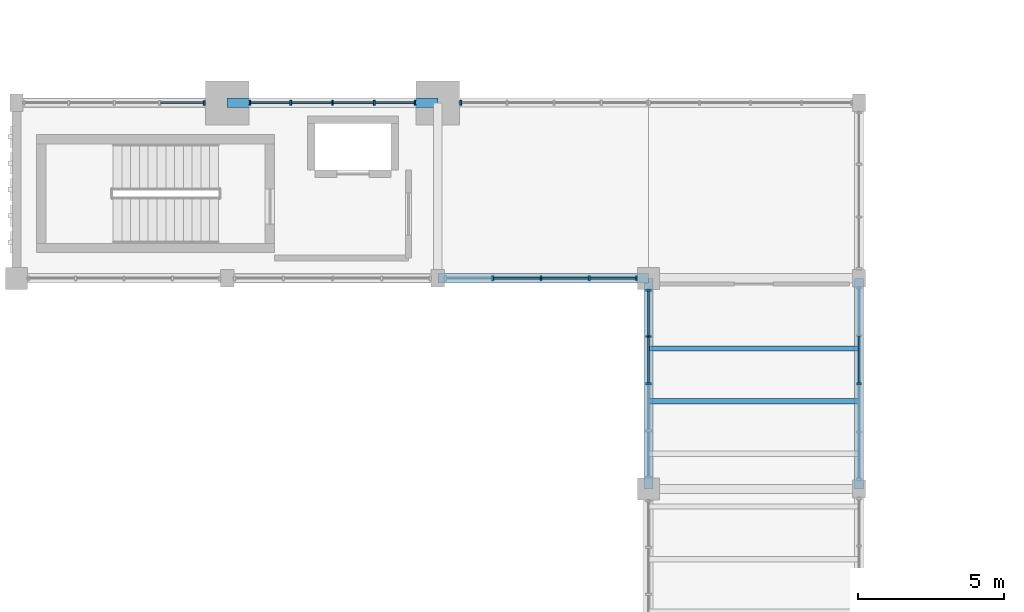
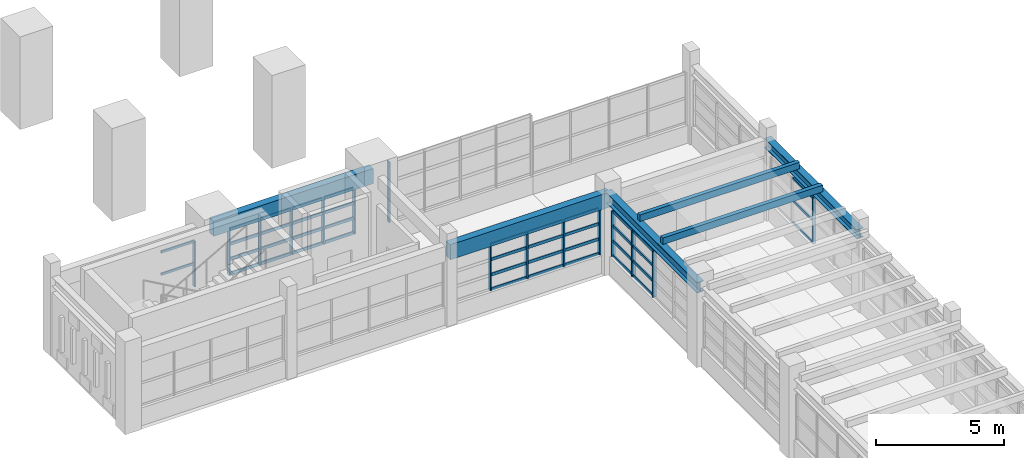
# One storey, part 7 of 69: 58 members, 4 beams, 6 elements without a shape of their own.
"""IFC4 building model written with IfcOpenShell, lengths in metres."""

from ifc_helpers import new_model, si_unit, direction, frame, origin, origin_2d, place, context, subcontext, project, spatial, rectangle, i_section, extrude, material, material_profile, profile_set, type_object, element, aggregate, save


model = new_model("IFC4")

# Units and contexts
model_context = context("Model", 3, precision=1e-05, world=origin(), true_north=direction((0.0, 1.0)))
body_context = subcontext(model_context, "Body", "Model", "MODEL_VIEW")
ifc_project = project(units=[si_unit("LENGTHUNIT", "METRE"), si_unit("AREAUNIT", "SQUARE_METRE"), si_unit("VOLUMEUNIT", "CUBIC_METRE"), si_unit("PLANEANGLEUNIT", "RADIAN"), si_unit("MASSUNIT", "GRAM", prefix="KILO")], contexts=[model_context])

# Site, building, storey
site_placement = place(None, origin())
site = spatial("IfcSite", under=ifc_project, at=site_placement, CompositionType="ELEMENT")
building_placement = place(site_placement, origin())
building = spatial("IfcBuilding", under=site, at=building_placement, Name="Nzembalo Square Collegiate School", CompositionType="ELEMENT")
storey_placement = place(building_placement, frame((0.0, 0.0, 5.10009765625)))
storey = spatial("IfcBuildingStorey", under=building, at=storey_placement, Name="L01", CompositionType="ELEMENT", Elevation=5.10009765625)

# Beams
ifc_material_1 = material(Name="Glulam GL32h", Category="wood")
ifc_material_profile_1 = material_profile(ifc_material_1, rectangle(XDim=0.320068359375, YDim=0.719970703125, at=origin_2d()), Name="GL32h 320x720")
ifc_profile_set_1 = profile_set([ifc_material_profile_1], Name="Glulam GL32h")
beam_type_1 = type_object("IfcBeamType", Name="B03", PredefinedType="BEAM", material=ifc_profile_set_1)
for number, where, z_axis, x_axis, name in (
    (1, (22.800048828125, 44.39990234375, 3.389892578125), (1.0, 0.0, 0.0), (0.0, 1.0, 0.0), "Beam B03 L01"),
    (2, (15.60009765625, 50.39990234375, 3.389892578125), (1.0, 0.0, 0.0), (0.0, 1.0, 0.0), "Beam B03 L01"),
):
    element("IfcBeam", number, at=place(storey_placement, frame(where, z_axis=z_axis, x_axis=x_axis)), inside=storey, type_object=beam_type_1, Name=name, PredefinedType="BEAM", context=body_context, shape_type="SweptSolid", body=[
        extrude(rectangle(XDim=0.320068359375, YDim=0.719970703125, at=origin_2d()), origin(), (0.0, 0.0, 1.0), 7.199951171875),
    ])
ifc_material_2 = material(Name="Steel S355", Category="steel")
ifc_material_profile_2 = material_profile(ifc_material_2, i_section(OverallWidth=0.300048828125, OverallDepth=0.5, WebThickness=0.014404296875, FlangeThickness=0.028076171875, at=origin_2d()), Name="HEB 500")
ifc_profile_set_2 = profile_set([ifc_material_profile_2], Name="Steel S355")
beam_type_2 = type_object("IfcBeamType", Name="B07", PredefinedType="BEAM", material=ifc_profile_set_2)
beam_1_placement = place(storey_placement, frame((30.0, 37.199951171875, 3.5), z_axis=(0.0, 1.0, 0.0), x_axis=(-1.0, 0.0, 0.0)))
element("IfcBeam", 3, at=beam_1_placement, inside=storey, type_object=beam_type_2, Name="Beam B07 L01", PredefinedType="BEAM", context=body_context, shape_type="SweptSolid", body=[
    extrude(i_section(OverallWidth=0.300048828125, OverallDepth=0.5, WebThickness=0.014404296875, FlangeThickness=0.028076171875, at=origin_2d()), origin(), (0.0, 0.0, 1.0), 7.199951171875),
])
ifc_material_3 = material(Name="Steel S355", Category="steel")
ifc_material_profile_3 = material_profile(ifc_material_3, i_section(OverallWidth=0.300048828125, OverallDepth=0.449951171875, WebThickness=0.013916015625, FlangeThickness=0.02587890625, at=origin_2d()), Name="HEB 450")
ifc_profile_set_3 = profile_set([ifc_material_profile_3], Name="Steel S355")
beam_type_3 = type_object("IfcBeamType", Name="B08", PredefinedType="BEAM", material=ifc_profile_set_3)
beam_2_placement = place(storey_placement, frame((37.199951171875, 37.199951171875, 3.52490234375), z_axis=(0.0, 1.0, 0.0), x_axis=(-1.0, 0.0, 0.0)))
element("IfcBeam", 4, at=beam_2_placement, inside=storey, type_object=beam_type_3, Name="Beam B08 L01", PredefinedType="BEAM", context=body_context, shape_type="SweptSolid", body=[
    extrude(i_section(OverallWidth=0.300048828125, OverallDepth=0.449951171875, WebThickness=0.013916015625, FlangeThickness=0.02587890625, at=origin_2d()), origin(), (0.0, 0.0, 1.0), 7.199951171875),
])

# Curtain wall, members
ifc_material_4 = material(Name="Aluminium 6060-T66", Category="aluminium")
curtain_wall_type_1 = type_object("IfcCurtainWallType", Name="CW-05", PredefinedType="USERDEFINED", material=ifc_material_4)
curtain_wall_1_placement = place(storey_placement, origin())
curtain_wall_1 = element("IfcCurtainWall", 5, at=curtain_wall_1_placement, inside=storey, type_object=curtain_wall_type_1, Name="Curtain wall CW-05 cw:L01:036", ObjectType="LANCET", PredefinedType="USERDEFINED")
ifc_material_5 = material(Name="Aluminium 6060-T66", Category="aluminium")
ifc_material_profile_4 = material_profile(ifc_material_5, rectangle(XDim=0.06005859375, YDim=0.179931640625, at=origin_2d()), Name="ALU M60x180")
ifc_profile_set_4 = profile_set([ifc_material_profile_4], Name="Aluminium 6060-T66")
member_type_1 = type_object("IfcMemberType", Name="ML01", PredefinedType="MULLION", material=ifc_profile_set_4)
member_1_placement = place(storey_placement, frame((16.382080078125, 50.39990234375, 0.849853515625), z_axis=(0.0, 0.0, 1.0), x_axis=(1.0, 0.0, 0.0)))
member_1 = element("IfcMember", 6, at=member_1_placement, type_object=member_type_1, Name="ML01 mullion 1", PredefinedType="MULLION", context=body_context, shape_type="SweptSolid", body=[
    extrude(rectangle(XDim=0.06005859375, YDim=0.179931640625, at=origin_2d()), origin(), (0.0, 0.0, 1.0), 2.174072265625),
])
member_2_placement = place(storey_placement, frame((17.77587890625, 50.39990234375, 0.849853515625), z_axis=(0.0, 0.0, 1.0), x_axis=(1.0, 0.0, 0.0)))
member_2 = element("IfcMember", 7, at=member_2_placement, type_object=member_type_1, Name="ML01 mullion 2", PredefinedType="MULLION", context=body_context, shape_type="SweptSolid", body=[
    extrude(rectangle(XDim=0.06005859375, YDim=0.179931640625, at=origin_2d()), origin(), (0.0, 0.0, 1.0), 2.174072265625),
])
member_3_placement = place(storey_placement, frame((19.199951171875, 50.39990234375, 0.849853515625), z_axis=(0.0, 0.0, 1.0), x_axis=(1.0, 0.0, 0.0)))
member_3 = element("IfcMember", 8, at=member_3_placement, type_object=member_type_1, Name="ML01 mullion 3", PredefinedType="MULLION", context=body_context, shape_type="SweptSolid", body=[
    extrude(rectangle(XDim=0.06005859375, YDim=0.179931640625, at=origin_2d()), origin(), (0.0, 0.0, 1.0), 2.174072265625),
])
member_4_placement = place(storey_placement, frame((20.6240234375, 50.39990234375, 0.849853515625), z_axis=(0.0, 0.0, 1.0), x_axis=(1.0, 0.0, 0.0)))
member_4 = element("IfcMember", 9, at=member_4_placement, type_object=member_type_1, Name="ML01 mullion 4", PredefinedType="MULLION", context=body_context, shape_type="SweptSolid", body=[
    extrude(rectangle(XDim=0.06005859375, YDim=0.179931640625, at=origin_2d()), origin(), (0.0, 0.0, 1.0), 2.174072265625),
])
member_5_placement = place(storey_placement, frame((22.01806640625, 50.39990234375, 0.849853515625), z_axis=(0.0, 0.0, 1.0), x_axis=(1.0, 0.0, 0.0)))
member_5 = element("IfcMember", 10, at=member_5_placement, type_object=member_type_1, Name="ML01 mullion 5", PredefinedType="MULLION", context=body_context, shape_type="SweptSolid", body=[
    extrude(rectangle(XDim=0.06005859375, YDim=0.179931640625, at=origin_2d()), origin(), (0.0, 0.0, 1.0), 2.174072265625),
])

# Curtain wall, member
ifc_material_6 = material(Name="Aluminium 6060-T66", Category="aluminium")
curtain_wall_type_2 = type_object("IfcCurtainWallType", Name="CW-06", PredefinedType="USERDEFINED", material=ifc_material_6)
curtain_wall_2_placement = place(storey_placement, origin())
curtain_wall_2 = element("IfcCurtainWall", 11, at=curtain_wall_2_placement, inside=storey, type_object=curtain_wall_type_2, Name="Curtain wall CW-06 cw:L01:037", ObjectType="LANCET", PredefinedType="USERDEFINED")
member_6_placement = place(storey_placement, frame((23.58203125, 50.39990234375, 0.849853515625), z_axis=(0.0, 0.0, 1.0), x_axis=(1.0, 0.0, 0.0)))
member_6 = element("IfcMember", 12, at=member_6_placement, type_object=member_type_1, Name="ML01 mullion 1", PredefinedType="MULLION", context=body_context, shape_type="SweptSolid", body=[
    extrude(rectangle(XDim=0.06005859375, YDim=0.179931640625, at=origin_2d()), origin(), (0.0, 0.0, 1.0), 2.8740234375),
])
aggregate(curtain_wall_2, [member_6])

# Curtain wall, members
ifc_material_7 = material(Name="Aluminium 6060-T66", Category="aluminium")
curtain_wall_type_3 = type_object("IfcCurtainWallType", Name="CW-02", PredefinedType="USERDEFINED", material=ifc_material_7)
curtain_wall_3_placement = place(storey_placement, origin())
curtain_wall_3 = element("IfcCurtainWall", 13, at=curtain_wall_3_placement, inside=storey, type_object=curtain_wall_type_3, Name="Curtain wall CW-02 cw:L01:049", ObjectType="UNITISED", PredefinedType="USERDEFINED")
member_7_placement = place(storey_placement, frame((30.0, 40.800048828125, 0.849853515625), z_axis=(0.0, 0.0, 1.0), x_axis=(0.0, 1.0, 0.0)))
member_7 = element("IfcMember", 14, at=member_7_placement, type_object=member_type_1, Name="ML01 mullion 3", PredefinedType="MULLION", context=body_context, shape_type="SweptSolid", body=[
    extrude(rectangle(XDim=0.06005859375, YDim=0.179931640625, at=origin_2d()), origin(), (0.0, 0.0, 1.0), 2.174072265625),
])
member_8_placement = place(storey_placement, frame((30.0, 42.41162109375, 0.849853515625), z_axis=(0.0, 0.0, 1.0), x_axis=(0.0, 1.0, 0.0)))
member_8 = element("IfcMember", 15, at=member_8_placement, type_object=member_type_1, Name="ML01 mullion 4", PredefinedType="MULLION", context=body_context, shape_type="SweptSolid", body=[
    extrude(rectangle(XDim=0.06005859375, YDim=0.179931640625, at=origin_2d()), origin(), (0.0, 0.0, 1.0), 2.174072265625),
])
member_9_placement = place(storey_placement, frame((30.0, 43.992919921875, 0.849853515625), z_axis=(0.0, 0.0, 1.0), x_axis=(0.0, 1.0, 0.0)))
member_9 = element("IfcMember", 16, at=member_9_placement, type_object=member_type_1, Name="ML01 mullion 5", PredefinedType="MULLION", context=body_context, shape_type="SweptSolid", body=[
    extrude(rectangle(XDim=0.06005859375, YDim=0.179931640625, at=origin_2d()), origin(), (0.0, 0.0, 1.0), 2.174072265625),
])

curtain_wall_4_placement = place(storey_placement, origin())
curtain_wall_4 = element("IfcCurtainWall", 17, at=curtain_wall_4_placement, inside=storey, type_object=curtain_wall_type_1, Name="Curtain wall CW-05 cw:L01:052", ObjectType="LANCET", PredefinedType="USERDEFINED")
member_10_placement = place(storey_placement, frame((24.676025390625, 44.39990234375, 0.849853515625), z_axis=(0.0, 0.0, 1.0), x_axis=(1.0, 0.0, 0.0)))
member_10 = element("IfcMember", 18, at=member_10_placement, type_object=member_type_1, Name="ML01 mullion 2", PredefinedType="MULLION", context=body_context, shape_type="SweptSolid", body=[
    extrude(rectangle(XDim=0.06005859375, YDim=0.179931640625, at=origin_2d()), origin(), (0.0, 0.0, 1.0), 2.174072265625),
])
member_11_placement = place(storey_placement, frame((26.324951171875, 44.39990234375, 0.849853515625), z_axis=(0.0, 0.0, 1.0), x_axis=(1.0, 0.0, 0.0)))
member_11 = element("IfcMember", 19, at=member_11_placement, type_object=member_type_1, Name="ML01 mullion 3", PredefinedType="MULLION", context=body_context, shape_type="SweptSolid", body=[
    extrude(rectangle(XDim=0.06005859375, YDim=0.179931640625, at=origin_2d()), origin(), (0.0, 0.0, 1.0), 2.174072265625),
])
member_12_placement = place(storey_placement, frame((27.97412109375, 44.39990234375, 0.849853515625), z_axis=(0.0, 0.0, 1.0), x_axis=(1.0, 0.0, 0.0)))
member_12 = element("IfcMember", 20, at=member_12_placement, type_object=member_type_1, Name="ML01 mullion 4", PredefinedType="MULLION", context=body_context, shape_type="SweptSolid", body=[
    extrude(rectangle(XDim=0.06005859375, YDim=0.179931640625, at=origin_2d()), origin(), (0.0, 0.0, 1.0), 2.174072265625),
])
member_13_placement = place(storey_placement, frame((29.593017578125, 44.39990234375, 0.849853515625), z_axis=(0.0, 0.0, 1.0), x_axis=(1.0, 0.0, 0.0)))
member_13 = element("IfcMember", 21, at=member_13_placement, type_object=member_type_1, Name="ML01 mullion 5", PredefinedType="MULLION", context=body_context, shape_type="SweptSolid", body=[
    extrude(rectangle(XDim=0.06005859375, YDim=0.179931640625, at=origin_2d()), origin(), (0.0, 0.0, 1.0), 2.174072265625),
])

# Curtain wall, member
ifc_material_8 = material(Name="Aluminium 6060-T66", Category="aluminium")
curtain_wall_type_4 = type_object("IfcCurtainWallType", Name="CW-04", PredefinedType="USERDEFINED", material=ifc_material_8)
curtain_wall_5_placement = place(storey_placement, origin())
curtain_wall_5 = element("IfcCurtainWall", 22, at=curtain_wall_5_placement, inside=storey, type_object=curtain_wall_type_4, Name="Curtain wall CW-04 cw:L01:035", ObjectType="UNITISED", PredefinedType="USERDEFINED")
ifc_material_9 = material(Name="Aluminium 6060-T66", Category="aluminium")
ifc_material_profile_5 = material_profile(ifc_material_9, rectangle(XDim=0.06005859375, YDim=0.14990234375, at=origin_2d()), Name="ALU M60x150")
ifc_profile_set_5 = profile_set([ifc_material_profile_5], Name="Aluminium 6060-T66")
member_type_2 = type_object("IfcMemberType", Name="ML02", PredefinedType="MULLION", material=ifc_profile_set_5)
member_14_placement = place(storey_placement, frame((14.818115234375, 50.39990234375, 0.849853515625), z_axis=(0.0, 0.0, 1.0), x_axis=(1.0, 0.0, 0.0)))
member_14 = element("IfcMember", 23, at=member_14_placement, type_object=member_type_2, Name="ML02 mullion 5", PredefinedType="MULLION", context=body_context, shape_type="SweptSolid", body=[
    extrude(rectangle(XDim=0.06005859375, YDim=0.14990234375, at=origin_2d()), origin(), (0.0, 0.0, 1.0), 2.174072265625),
])

curtain_wall_6_placement = place(storey_placement, origin())
curtain_wall_6 = element("IfcCurtainWall", 24, at=curtain_wall_6_placement, inside=storey, type_object=curtain_wall_type_4, Name="Curtain wall CW-04 cw:L01:043", ObjectType="UNITISED", PredefinedType="USERDEFINED")
member_15_placement = place(storey_placement, frame((37.199951171875, 40.800048828125, 0.849853515625), z_axis=(0.0, 0.0, 1.0), x_axis=(0.0, 1.0, 0.0)))
member_15 = element("IfcMember", 25, at=member_15_placement, type_object=member_type_2, Name="ML02 mullion 3", PredefinedType="MULLION", context=body_context, shape_type="SweptSolid", body=[
    extrude(rectangle(XDim=0.06005859375, YDim=0.14990234375, at=origin_2d()), origin(), (0.0, 0.0, 1.0), 2.174072265625),
])

# Member
ifc_material_10 = material(Name="Aluminium 6060-T66", Category="aluminium")
ifc_material_profile_6 = material_profile(ifc_material_10, rectangle(XDim=0.06005859375, YDim=0.139892578125, at=origin_2d()), Name="ALU T60x140")
ifc_profile_set_6 = profile_set([ifc_material_profile_6], Name="Aluminium 6060-T66")
member_type_3 = type_object("IfcMemberType", Name="TR01", PredefinedType="USERDEFINED", material=ifc_profile_set_6)
member_16_placement = place(storey_placement, frame((16.412109375, 50.39990234375, 0.8798828125), z_axis=(1.0, 0.0, 0.0), x_axis=(0.0, 1.0, 0.0)))
member_16 = element("IfcMember", 26, at=member_16_placement, type_object=member_type_3, Name="TR01 transom 1-1", ObjectType="TRANSOM", PredefinedType="USERDEFINED", context=body_context, shape_type="SweptSolid", body=[
    extrude(rectangle(XDim=0.06005859375, YDim=0.139892578125, at=origin_2d()), origin(), (0.0, 0.0, 1.0), 1.333984375),
])

member_17_placement = place(storey_placement, frame((17.805908203125, 50.39990234375, 0.8798828125), z_axis=(1.0, 0.0, 0.0), x_axis=(0.0, 1.0, 0.0)))
member_17 = element("IfcMember", 27, at=member_17_placement, type_object=member_type_3, Name="TR01 transom 1-2", ObjectType="TRANSOM", PredefinedType="USERDEFINED", context=body_context, shape_type="SweptSolid", body=[
    extrude(rectangle(XDim=0.06005859375, YDim=0.139892578125, at=origin_2d()), origin(), (0.0, 0.0, 1.0), 1.364013671875),
])

member_18_placement = place(storey_placement, frame((19.22998046875, 50.39990234375, 0.8798828125), z_axis=(1.0, 0.0, 0.0), x_axis=(0.0, 1.0, 0.0)))
member_18 = element("IfcMember", 28, at=member_18_placement, type_object=member_type_3, Name="TR01 transom 1-3", ObjectType="TRANSOM", PredefinedType="USERDEFINED", context=body_context, shape_type="SweptSolid", body=[
    extrude(rectangle(XDim=0.06005859375, YDim=0.139892578125, at=origin_2d()), origin(), (0.0, 0.0, 1.0), 1.364013671875),
])

member_19_placement = place(storey_placement, frame((20.654052734375, 50.39990234375, 0.8798828125), z_axis=(1.0, 0.0, 0.0), x_axis=(0.0, 1.0, 0.0)))
member_19 = element("IfcMember", 29, at=member_19_placement, type_object=member_type_3, Name="TR01 transom 1-4", ObjectType="TRANSOM", PredefinedType="USERDEFINED", context=body_context, shape_type="SweptSolid", body=[
    extrude(rectangle(XDim=0.06005859375, YDim=0.139892578125, at=origin_2d()), origin(), (0.0, 0.0, 1.0), 1.333984375),
])

member_20_placement = place(storey_placement, frame((16.412109375, 50.39990234375, 1.574462890625), z_axis=(1.0, 0.0, 0.0), x_axis=(0.0, 1.0, 0.0)))
member_20 = element("IfcMember", 30, at=member_20_placement, type_object=member_type_3, Name="TR01 transom 2-1", ObjectType="TRANSOM", PredefinedType="USERDEFINED", context=body_context, shape_type="SweptSolid", body=[
    extrude(rectangle(XDim=0.06005859375, YDim=0.139892578125, at=origin_2d()), origin(), (0.0, 0.0, 1.0), 1.333984375),
])

member_21_placement = place(storey_placement, frame((17.805908203125, 50.39990234375, 1.574462890625), z_axis=(1.0, 0.0, 0.0), x_axis=(0.0, 1.0, 0.0)))
member_21 = element("IfcMember", 31, at=member_21_placement, type_object=member_type_3, Name="TR01 transom 2-2", ObjectType="TRANSOM", PredefinedType="USERDEFINED", context=body_context, shape_type="SweptSolid", body=[
    extrude(rectangle(XDim=0.06005859375, YDim=0.139892578125, at=origin_2d()), origin(), (0.0, 0.0, 1.0), 1.364013671875),
])

member_22_placement = place(storey_placement, frame((19.22998046875, 50.39990234375, 1.574462890625), z_axis=(1.0, 0.0, 0.0), x_axis=(0.0, 1.0, 0.0)))
member_22 = element("IfcMember", 32, at=member_22_placement, type_object=member_type_3, Name="TR01 transom 2-3", ObjectType="TRANSOM", PredefinedType="USERDEFINED", context=body_context, shape_type="SweptSolid", body=[
    extrude(rectangle(XDim=0.06005859375, YDim=0.139892578125, at=origin_2d()), origin(), (0.0, 0.0, 1.0), 1.364013671875),
])

member_23_placement = place(storey_placement, frame((20.654052734375, 50.39990234375, 1.574462890625), z_axis=(1.0, 0.0, 0.0), x_axis=(0.0, 1.0, 0.0)))
member_23 = element("IfcMember", 33, at=member_23_placement, type_object=member_type_3, Name="TR01 transom 2-4", ObjectType="TRANSOM", PredefinedType="USERDEFINED", context=body_context, shape_type="SweptSolid", body=[
    extrude(rectangle(XDim=0.06005859375, YDim=0.139892578125, at=origin_2d()), origin(), (0.0, 0.0, 1.0), 1.333984375),
])

member_24_placement = place(storey_placement, frame((16.412109375, 50.39990234375, 2.29931640625), z_axis=(1.0, 0.0, 0.0), x_axis=(0.0, 1.0, 0.0)))
member_24 = element("IfcMember", 34, at=member_24_placement, type_object=member_type_3, Name="TR01 transom 3-1", ObjectType="TRANSOM", PredefinedType="USERDEFINED", context=body_context, shape_type="SweptSolid", body=[
    extrude(rectangle(XDim=0.06005859375, YDim=0.139892578125, at=origin_2d()), origin(), (0.0, 0.0, 1.0), 1.333984375),
])

member_25_placement = place(storey_placement, frame((17.805908203125, 50.39990234375, 2.29931640625), z_axis=(1.0, 0.0, 0.0), x_axis=(0.0, 1.0, 0.0)))
member_25 = element("IfcMember", 35, at=member_25_placement, type_object=member_type_3, Name="TR01 transom 3-2", ObjectType="TRANSOM", PredefinedType="USERDEFINED", context=body_context, shape_type="SweptSolid", body=[
    extrude(rectangle(XDim=0.06005859375, YDim=0.139892578125, at=origin_2d()), origin(), (0.0, 0.0, 1.0), 1.364013671875),
])

member_26_placement = place(storey_placement, frame((19.22998046875, 50.39990234375, 2.29931640625), z_axis=(1.0, 0.0, 0.0), x_axis=(0.0, 1.0, 0.0)))
member_26 = element("IfcMember", 36, at=member_26_placement, type_object=member_type_3, Name="TR01 transom 3-3", ObjectType="TRANSOM", PredefinedType="USERDEFINED", context=body_context, shape_type="SweptSolid", body=[
    extrude(rectangle(XDim=0.06005859375, YDim=0.139892578125, at=origin_2d()), origin(), (0.0, 0.0, 1.0), 1.364013671875),
])

member_27_placement = place(storey_placement, frame((20.654052734375, 50.39990234375, 2.29931640625), z_axis=(1.0, 0.0, 0.0), x_axis=(0.0, 1.0, 0.0)))
member_27 = element("IfcMember", 37, at=member_27_placement, type_object=member_type_3, Name="TR01 transom 3-4", ObjectType="TRANSOM", PredefinedType="USERDEFINED", context=body_context, shape_type="SweptSolid", body=[
    extrude(rectangle(XDim=0.06005859375, YDim=0.139892578125, at=origin_2d()), origin(), (0.0, 0.0, 1.0), 1.333984375),
])

member_28_placement = place(storey_placement, frame((16.412109375, 50.39990234375, 2.993896484375), z_axis=(1.0, 0.0, 0.0), x_axis=(0.0, 1.0, 0.0)))
member_28 = element("IfcMember", 38, at=member_28_placement, type_object=member_type_3, Name="TR01 transom 4-1", ObjectType="TRANSOM", PredefinedType="USERDEFINED", context=body_context, shape_type="SweptSolid", body=[
    extrude(rectangle(XDim=0.06005859375, YDim=0.139892578125, at=origin_2d()), origin(), (0.0, 0.0, 1.0), 1.333984375),
])

member_29_placement = place(storey_placement, frame((17.805908203125, 50.39990234375, 2.993896484375), z_axis=(1.0, 0.0, 0.0), x_axis=(0.0, 1.0, 0.0)))
member_29 = element("IfcMember", 39, at=member_29_placement, type_object=member_type_3, Name="TR01 transom 4-2", ObjectType="TRANSOM", PredefinedType="USERDEFINED", context=body_context, shape_type="SweptSolid", body=[
    extrude(rectangle(XDim=0.06005859375, YDim=0.139892578125, at=origin_2d()), origin(), (0.0, 0.0, 1.0), 1.364013671875),
])

member_30_placement = place(storey_placement, frame((19.22998046875, 50.39990234375, 2.993896484375), z_axis=(1.0, 0.0, 0.0), x_axis=(0.0, 1.0, 0.0)))
member_30 = element("IfcMember", 40, at=member_30_placement, type_object=member_type_3, Name="TR01 transom 4-3", ObjectType="TRANSOM", PredefinedType="USERDEFINED", context=body_context, shape_type="SweptSolid", body=[
    extrude(rectangle(XDim=0.06005859375, YDim=0.139892578125, at=origin_2d()), origin(), (0.0, 0.0, 1.0), 1.364013671875),
])

member_31_placement = place(storey_placement, frame((20.654052734375, 50.39990234375, 2.993896484375), z_axis=(1.0, 0.0, 0.0), x_axis=(0.0, 1.0, 0.0)))
member_31 = element("IfcMember", 41, at=member_31_placement, type_object=member_type_3, Name="TR01 transom 4-4", ObjectType="TRANSOM", PredefinedType="USERDEFINED", context=body_context, shape_type="SweptSolid", body=[
    extrude(rectangle(XDim=0.06005859375, YDim=0.139892578125, at=origin_2d()), origin(), (0.0, 0.0, 1.0), 1.333984375),
])

aggregate(curtain_wall_1, [member_1, member_2, member_3, member_4, member_5, member_16, member_17, member_18, member_19, member_20, member_21, member_22, member_23, member_24, member_25, member_26, member_27, member_28, member_29, member_30, member_31])

member_32_placement = place(storey_placement, frame((30.0, 40.830078125, 0.8798828125), z_axis=(0.0, 1.0, 0.0), x_axis=(-1.0, 0.0, 0.0)))
member_32 = element("IfcMember", 42, at=member_32_placement, type_object=member_type_3, Name="TR01 transom 1-3", ObjectType="TRANSOM", PredefinedType="USERDEFINED", context=body_context, shape_type="SweptSolid", body=[
    extrude(rectangle(XDim=0.06005859375, YDim=0.139892578125, at=origin_2d()), origin(), (0.0, 0.0, 1.0), 1.551513671875),
])

member_33_placement = place(storey_placement, frame((30.0, 42.44140625, 0.8798828125), z_axis=(0.0, 1.0, 0.0), x_axis=(-1.0, 0.0, 0.0)))
member_33 = element("IfcMember", 43, at=member_33_placement, type_object=member_type_3, Name="TR01 transom 1-4", ObjectType="TRANSOM", PredefinedType="USERDEFINED", context=body_context, shape_type="SweptSolid", body=[
    extrude(rectangle(XDim=0.06005859375, YDim=0.139892578125, at=origin_2d()), origin(), (0.0, 0.0, 1.0), 1.521484375),
])

member_34_placement = place(storey_placement, frame((30.0, 40.830078125, 1.574462890625), z_axis=(0.0, 1.0, 0.0), x_axis=(-1.0, 0.0, 0.0)))
member_34 = element("IfcMember", 44, at=member_34_placement, type_object=member_type_3, Name="TR01 transom 2-3", ObjectType="TRANSOM", PredefinedType="USERDEFINED", context=body_context, shape_type="SweptSolid", body=[
    extrude(rectangle(XDim=0.06005859375, YDim=0.139892578125, at=origin_2d()), origin(), (0.0, 0.0, 1.0), 1.551513671875),
])

member_35_placement = place(storey_placement, frame((30.0, 42.44140625, 1.574462890625), z_axis=(0.0, 1.0, 0.0), x_axis=(-1.0, 0.0, 0.0)))
member_35 = element("IfcMember", 45, at=member_35_placement, type_object=member_type_3, Name="TR01 transom 2-4", ObjectType="TRANSOM", PredefinedType="USERDEFINED", context=body_context, shape_type="SweptSolid", body=[
    extrude(rectangle(XDim=0.06005859375, YDim=0.139892578125, at=origin_2d()), origin(), (0.0, 0.0, 1.0), 1.521484375),
])

member_36_placement = place(storey_placement, frame((30.0, 40.830078125, 2.29931640625), z_axis=(0.0, 1.0, 0.0), x_axis=(-1.0, 0.0, 0.0)))
member_36 = element("IfcMember", 46, at=member_36_placement, type_object=member_type_3, Name="TR01 transom 3-3", ObjectType="TRANSOM", PredefinedType="USERDEFINED", context=body_context, shape_type="SweptSolid", body=[
    extrude(rectangle(XDim=0.06005859375, YDim=0.139892578125, at=origin_2d()), origin(), (0.0, 0.0, 1.0), 1.551513671875),
])

member_37_placement = place(storey_placement, frame((30.0, 42.44140625, 2.29931640625), z_axis=(0.0, 1.0, 0.0), x_axis=(-1.0, 0.0, 0.0)))
member_37 = element("IfcMember", 47, at=member_37_placement, type_object=member_type_3, Name="TR01 transom 3-4", ObjectType="TRANSOM", PredefinedType="USERDEFINED", context=body_context, shape_type="SweptSolid", body=[
    extrude(rectangle(XDim=0.06005859375, YDim=0.139892578125, at=origin_2d()), origin(), (0.0, 0.0, 1.0), 1.521484375),
])

member_38_placement = place(storey_placement, frame((30.0, 40.830078125, 2.993896484375), z_axis=(0.0, 1.0, 0.0), x_axis=(-1.0, 0.0, 0.0)))
member_38 = element("IfcMember", 48, at=member_38_placement, type_object=member_type_3, Name="TR01 transom 4-3", ObjectType="TRANSOM", PredefinedType="USERDEFINED", context=body_context, shape_type="SweptSolid", body=[
    extrude(rectangle(XDim=0.06005859375, YDim=0.139892578125, at=origin_2d()), origin(), (0.0, 0.0, 1.0), 1.551513671875),
])

member_39_placement = place(storey_placement, frame((30.0, 42.44140625, 2.993896484375), z_axis=(0.0, 1.0, 0.0), x_axis=(-1.0, 0.0, 0.0)))
member_39 = element("IfcMember", 49, at=member_39_placement, type_object=member_type_3, Name="TR01 transom 4-4", ObjectType="TRANSOM", PredefinedType="USERDEFINED", context=body_context, shape_type="SweptSolid", body=[
    extrude(rectangle(XDim=0.06005859375, YDim=0.139892578125, at=origin_2d()), origin(), (0.0, 0.0, 1.0), 1.521484375),
])

aggregate(curtain_wall_3, [member_7, member_8, member_9, member_32, member_33, member_34, member_35, member_36, member_37, member_38, member_39])

member_40_placement = place(storey_placement, frame((24.7060546875, 44.39990234375, 0.8798828125), z_axis=(1.0, 0.0, 0.0), x_axis=(0.0, 1.0, 0.0)))
member_40 = element("IfcMember", 50, at=member_40_placement, type_object=member_type_3, Name="TR01 transom 1-2", ObjectType="TRANSOM", PredefinedType="USERDEFINED", context=body_context, shape_type="SweptSolid", body=[
    extrude(rectangle(XDim=0.06005859375, YDim=0.139892578125, at=origin_2d()), origin(), (0.0, 0.0, 1.0), 1.5888671875),
])

member_41_placement = place(storey_placement, frame((26.35498046875, 44.39990234375, 0.8798828125), z_axis=(1.0, 0.0, 0.0), x_axis=(0.0, 1.0, 0.0)))
member_41 = element("IfcMember", 51, at=member_41_placement, type_object=member_type_3, Name="TR01 transom 1-3", ObjectType="TRANSOM", PredefinedType="USERDEFINED", context=body_context, shape_type="SweptSolid", body=[
    extrude(rectangle(XDim=0.06005859375, YDim=0.139892578125, at=origin_2d()), origin(), (0.0, 0.0, 1.0), 1.589111328125),
])

member_42_placement = place(storey_placement, frame((28.00390625, 44.39990234375, 0.8798828125), z_axis=(1.0, 0.0, 0.0), x_axis=(0.0, 1.0, 0.0)))
member_42 = element("IfcMember", 52, at=member_42_placement, type_object=member_type_3, Name="TR01 transom 1-4", ObjectType="TRANSOM", PredefinedType="USERDEFINED", context=body_context, shape_type="SweptSolid", body=[
    extrude(rectangle(XDim=0.06005859375, YDim=0.139892578125, at=origin_2d()), origin(), (0.0, 0.0, 1.0), 1.55908203125),
])

member_43_placement = place(storey_placement, frame((24.7060546875, 44.39990234375, 1.574462890625), z_axis=(1.0, 0.0, 0.0), x_axis=(0.0, 1.0, 0.0)))
member_43 = element("IfcMember", 53, at=member_43_placement, type_object=member_type_3, Name="TR01 transom 2-2", ObjectType="TRANSOM", PredefinedType="USERDEFINED", context=body_context, shape_type="SweptSolid", body=[
    extrude(rectangle(XDim=0.06005859375, YDim=0.139892578125, at=origin_2d()), origin(), (0.0, 0.0, 1.0), 1.5888671875),
])

member_44_placement = place(storey_placement, frame((26.35498046875, 44.39990234375, 1.574462890625), z_axis=(1.0, 0.0, 0.0), x_axis=(0.0, 1.0, 0.0)))
member_44 = element("IfcMember", 54, at=member_44_placement, type_object=member_type_3, Name="TR01 transom 2-3", ObjectType="TRANSOM", PredefinedType="USERDEFINED", context=body_context, shape_type="SweptSolid", body=[
    extrude(rectangle(XDim=0.06005859375, YDim=0.139892578125, at=origin_2d()), origin(), (0.0, 0.0, 1.0), 1.589111328125),
])

member_45_placement = place(storey_placement, frame((28.00390625, 44.39990234375, 1.574462890625), z_axis=(1.0, 0.0, 0.0), x_axis=(0.0, 1.0, 0.0)))
member_45 = element("IfcMember", 55, at=member_45_placement, type_object=member_type_3, Name="TR01 transom 2-4", ObjectType="TRANSOM", PredefinedType="USERDEFINED", context=body_context, shape_type="SweptSolid", body=[
    extrude(rectangle(XDim=0.06005859375, YDim=0.139892578125, at=origin_2d()), origin(), (0.0, 0.0, 1.0), 1.55908203125),
])

member_46_placement = place(storey_placement, frame((24.7060546875, 44.39990234375, 2.29931640625), z_axis=(1.0, 0.0, 0.0), x_axis=(0.0, 1.0, 0.0)))
member_46 = element("IfcMember", 56, at=member_46_placement, type_object=member_type_3, Name="TR01 transom 3-2", ObjectType="TRANSOM", PredefinedType="USERDEFINED", context=body_context, shape_type="SweptSolid", body=[
    extrude(rectangle(XDim=0.06005859375, YDim=0.139892578125, at=origin_2d()), origin(), (0.0, 0.0, 1.0), 1.5888671875),
])

member_47_placement = place(storey_placement, frame((26.35498046875, 44.39990234375, 2.29931640625), z_axis=(1.0, 0.0, 0.0), x_axis=(0.0, 1.0, 0.0)))
member_47 = element("IfcMember", 57, at=member_47_placement, type_object=member_type_3, Name="TR01 transom 3-3", ObjectType="TRANSOM", PredefinedType="USERDEFINED", context=body_context, shape_type="SweptSolid", body=[
    extrude(rectangle(XDim=0.06005859375, YDim=0.139892578125, at=origin_2d()), origin(), (0.0, 0.0, 1.0), 1.589111328125),
])

member_48_placement = place(storey_placement, frame((28.00390625, 44.39990234375, 2.29931640625), z_axis=(1.0, 0.0, 0.0), x_axis=(0.0, 1.0, 0.0)))
member_48 = element("IfcMember", 58, at=member_48_placement, type_object=member_type_3, Name="TR01 transom 3-4", ObjectType="TRANSOM", PredefinedType="USERDEFINED", context=body_context, shape_type="SweptSolid", body=[
    extrude(rectangle(XDim=0.06005859375, YDim=0.139892578125, at=origin_2d()), origin(), (0.0, 0.0, 1.0), 1.55908203125),
])

member_49_placement = place(storey_placement, frame((24.7060546875, 44.39990234375, 2.993896484375), z_axis=(1.0, 0.0, 0.0), x_axis=(0.0, 1.0, 0.0)))
member_49 = element("IfcMember", 59, at=member_49_placement, type_object=member_type_3, Name="TR01 transom 4-2", ObjectType="TRANSOM", PredefinedType="USERDEFINED", context=body_context, shape_type="SweptSolid", body=[
    extrude(rectangle(XDim=0.06005859375, YDim=0.139892578125, at=origin_2d()), origin(), (0.0, 0.0, 1.0), 1.5888671875),
])

member_50_placement = place(storey_placement, frame((26.35498046875, 44.39990234375, 2.993896484375), z_axis=(1.0, 0.0, 0.0), x_axis=(0.0, 1.0, 0.0)))
member_50 = element("IfcMember", 60, at=member_50_placement, type_object=member_type_3, Name="TR01 transom 4-3", ObjectType="TRANSOM", PredefinedType="USERDEFINED", context=body_context, shape_type="SweptSolid", body=[
    extrude(rectangle(XDim=0.06005859375, YDim=0.139892578125, at=origin_2d()), origin(), (0.0, 0.0, 1.0), 1.589111328125),
])

member_51_placement = place(storey_placement, frame((28.00390625, 44.39990234375, 2.993896484375), z_axis=(1.0, 0.0, 0.0), x_axis=(0.0, 1.0, 0.0)))
member_51 = element("IfcMember", 61, at=member_51_placement, type_object=member_type_3, Name="TR01 transom 4-4", ObjectType="TRANSOM", PredefinedType="USERDEFINED", context=body_context, shape_type="SweptSolid", body=[
    extrude(rectangle(XDim=0.06005859375, YDim=0.139892578125, at=origin_2d()), origin(), (0.0, 0.0, 1.0), 1.55908203125),
])

aggregate(curtain_wall_4, [member_10, member_11, member_12, member_13, member_40, member_41, member_42, member_43, member_44, member_45, member_46, member_47, member_48, member_49, member_50, member_51])

ifc_material_11 = material(Name="Aluminium 6060-T66", Category="aluminium")
ifc_material_profile_7 = material_profile(ifc_material_11, rectangle(XDim=0.06005859375, YDim=0.110107421875, at=origin_2d()), Name="ALU T60x110")
ifc_profile_set_7 = profile_set([ifc_material_profile_7], Name="Aluminium 6060-T66")
member_type_4 = type_object("IfcMemberType", Name="TR02", PredefinedType="USERDEFINED", material=ifc_profile_set_7)
member_52_placement = place(storey_placement, frame((13.32275390625, 50.39990234375, 1.93701171875), z_axis=(1.0, 0.0, 0.0), x_axis=(0.0, 1.0, 0.0)))
member_52 = element("IfcMember", 62, at=member_52_placement, type_object=member_type_4, Name="TR02 transom 2-4", ObjectType="TRANSOM", PredefinedType="USERDEFINED", context=body_context, shape_type="SweptSolid", body=[
    extrude(rectangle(XDim=0.06005859375, YDim=0.110107421875, at=origin_2d()), origin(), (0.0, 0.0, 1.0), 1.46533203125),
])

member_53_placement = place(storey_placement, frame((13.32275390625, 50.39990234375, 2.993896484375), z_axis=(1.0, 0.0, 0.0), x_axis=(0.0, 1.0, 0.0)))
member_53 = element("IfcMember", 63, at=member_53_placement, type_object=member_type_4, Name="TR02 transom 3-4", ObjectType="TRANSOM", PredefinedType="USERDEFINED", context=body_context, shape_type="SweptSolid", body=[
    extrude(rectangle(XDim=0.06005859375, YDim=0.110107421875, at=origin_2d()), origin(), (0.0, 0.0, 1.0), 1.46533203125),
])

aggregate(curtain_wall_5, [member_14, member_52, member_53])

member_54_placement = place(storey_placement, frame((37.199951171875, 40.830078125, 0.8798828125), z_axis=(0.0, 1.0, 0.0), x_axis=(-1.0, 0.0, 0.0)))
member_54 = element("IfcMember", 64, at=member_54_placement, type_object=member_type_4, Name="TR02 transom 1-3", ObjectType="TRANSOM", PredefinedType="USERDEFINED", context=body_context, shape_type="SweptSolid", body=[
    extrude(rectangle(XDim=0.06005859375, YDim=0.110107421875, at=origin_2d()), origin(), (0.0, 0.0, 1.0), 1.5888671875),
])

member_55_placement = place(storey_placement, frame((37.199951171875, 40.830078125, 1.93701171875), z_axis=(0.0, 1.0, 0.0), x_axis=(-1.0, 0.0, 0.0)))
member_55 = element("IfcMember", 65, at=member_55_placement, type_object=member_type_4, Name="TR02 transom 2-3", ObjectType="TRANSOM", PredefinedType="USERDEFINED", context=body_context, shape_type="SweptSolid", body=[
    extrude(rectangle(XDim=0.06005859375, YDim=0.110107421875, at=origin_2d()), origin(), (0.0, 0.0, 1.0), 1.5888671875),
])

member_56_placement = place(storey_placement, frame((37.199951171875, 40.830078125, 2.993896484375), z_axis=(0.0, 1.0, 0.0), x_axis=(-1.0, 0.0, 0.0)))
member_56 = element("IfcMember", 66, at=member_56_placement, type_object=member_type_4, Name="TR02 transom 3-3", ObjectType="TRANSOM", PredefinedType="USERDEFINED", context=body_context, shape_type="SweptSolid", body=[
    extrude(rectangle(XDim=0.06005859375, YDim=0.110107421875, at=origin_2d()), origin(), (0.0, 0.0, 1.0), 1.5888671875),
])

aggregate(curtain_wall_6, [member_15, member_54, member_55, member_56])

# Members
ifc_material_12 = material(Name="Glulam GL28h", Category="wood")
ifc_material_profile_8 = material_profile(ifc_material_12, rectangle(XDim=0.179931640625, YDim=0.320068359375, at=origin_2d()), Name="GL28h 180x320")
ifc_profile_set_8 = profile_set([ifc_material_profile_8], Name="Glulam GL28h")
member_type_5 = type_object("IfcMemberType", Name="PR01", PredefinedType="PURLIN", material=ifc_profile_set_8)
for number, where, z_axis, x_axis, name in (
    (67, (30.0, 40.199951171875, 3.89990234375), (1.0, 0.0, 0.0), (0.0, 1.0, 0.0), "Planted roof purlin PR01-GA-18"),
    (68, (30.0, 42.0, 3.89990234375), (1.0, 0.0, 0.0), (0.0, 1.0, 0.0), "Planted roof purlin PR01-GA-19"),
):
    element("IfcMember", number, at=place(storey_placement, frame(where, z_axis=z_axis, x_axis=x_axis)), inside=storey, type_object=member_type_5, Name=name, PredefinedType="PURLIN", context=body_context, shape_type="SweptSolid", body=[
        extrude(rectangle(XDim=0.179931640625, YDim=0.320068359375, at=origin_2d()), origin(), (0.0, 0.0, 1.0), 7.199951171875),
    ])

save(model, "model.ifc")
